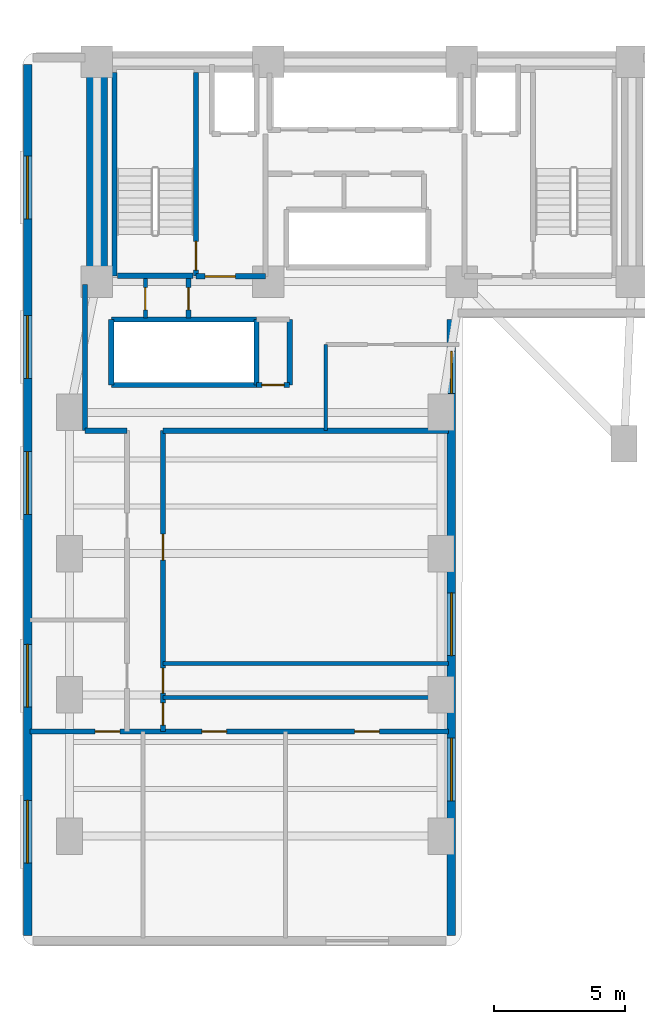
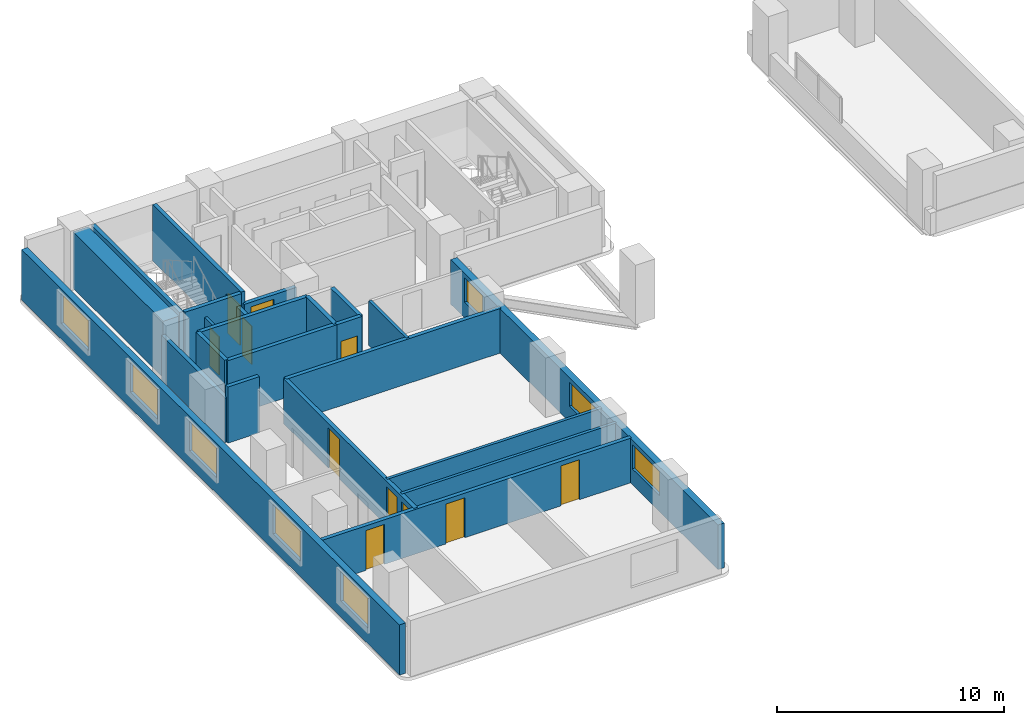
# One storey, part 8 of 14: 23 walls, 11 doors, 8 windows, 19 openings.
"""IFC4 building model written with IfcOpenShell, lengths in metres."""

from ifc_helpers import new_model, si_unit, direction, frame, frame_2d, origin, place, context, subcontext, project, spatial, rectangle, extrude, material, layer, layer_set, type_object, element, fill, save


model = new_model("IFC4")

# Units and contexts
model_context = context("Model", 3, precision=1e-05, world=origin(), true_north=direction((0.0, 1.0)))
body_context = subcontext(model_context, "Body", "Model", "MODEL_VIEW")
ifc_project = project(units=[si_unit("LENGTHUNIT", "METRE"), si_unit("AREAUNIT", "SQUARE_METRE"), si_unit("VOLUMEUNIT", "CUBIC_METRE"), si_unit("PLANEANGLEUNIT", "RADIAN"), si_unit("MASSUNIT", "GRAM", prefix="KILO")], contexts=[model_context])

# Site, building, storey
site_placement = place(None, origin())
site = spatial("IfcSite", under=ifc_project, at=site_placement, CompositionType="ELEMENT")
building_placement = place(site_placement, origin())
building = spatial("IfcBuilding", under=site, at=building_placement, Name="Kuzgunbayir Cultural Tower", CompositionType="ELEMENT")
storey_placement = place(building_placement, frame((0.0, 0.0, 33.39990234375)))
storey = spatial("IfcBuildingStorey", under=building, at=storey_placement, Name="L08", CompositionType="ELEMENT", Elevation=33.39990234375)

# Wall
ifc_material_1 = material(Name="Concrete C60/75", Category="concrete")
ifc_layer_1 = layer(ifc_material_1, 0.800048828125)
ifc_layer_set_1 = layer_set([ifc_layer_1], Name="Concrete C60/75")
wall_type_1 = type_object("IfcWallType", Name="WAL-CORE-800", PredefinedType="SHEAR", material=ifc_layer_set_1)
wall_1_placement = place(storey_placement, frame((6.449951171875, 33.800048828125, 0.0), z_axis=(0.0, 0.0, 1.0), x_axis=(0.0, 1.0, 0.0)))
element("IfcWall", 1, at=wall_1_placement, inside=storey, type_object=wall_type_1, Name="L08 T1 Core West Shear Wall", PredefinedType="SHEAR", context=body_context, shape_type="SweptSolid", body=[
    extrude(rectangle(XDim=7.949951171875, YDim=0.800048828125, at=frame_2d((3.97509765625, 0.0))), origin(), (0.0, 0.0, 1.0), 3.02001953125),
])

# Wall, openings, windows
ifc_material_2 = material(Name="Travertine Buff Ashlar", Category="masonry")
ifc_layer_2 = layer(ifc_material_2, 0.320068359375)
ifc_layer_set_2 = layer_set([ifc_layer_2], Name="Travertine Buff Ashlar")
wall_type_2 = type_object("IfcWallType", Name="WAL-EXT-STONE-320", PredefinedType="STANDARD", material=ifc_layer_set_2)
wall_2_placement = place(storey_placement, frame((3.800048828125, 42.10009765625, 0.0), z_axis=(0.0, 0.0, 1.0), x_axis=(0.0, -1.0, 0.0)))
wall_2 = element("IfcWall", 2, at=wall_2_placement, inside=storey, type_object=wall_type_2, Name="L08 Wing A West Limestone Wall", PredefinedType="STANDARD", context=body_context, shape_type="SweptSolid", body=[
    extrude(rectangle(XDim=33.300048828125, YDim=0.320068359375, at=frame_2d((16.64990234375, 0.0))), origin(), (0.0, 0.0, 1.0), 2.7001953125),
])
opening_1_placement = place(wall_2_placement, frame((22.169921875, 0.0, 0.85009765625)))
opening_1 = element("IfcOpeningElement", 3, at=opening_1_placement, cuts=wall_2, Name="Opening WO-24", PredefinedType="OPENING", context=body_context, shape_type="SweptSolid", body=[
    extrude(rectangle(XDim=2.39990234375, YDim=1.60009765625, at=frame_2d((1.199951171875, 0.800048828125))), frame((0.0, 0.169921875, 0.0), z_axis=(0.0, -1.0, 0.0), x_axis=(1.0, 0.0, 0.0)), (0.0, 0.0, 1.0), 0.340087890625),
])
opening_2_placement = place(wall_2_placement, frame((28.1298828125, 0.0, 0.85009765625)))
opening_2 = element("IfcOpeningElement", 4, at=opening_2_placement, cuts=wall_2, Name="Opening WO-24", PredefinedType="OPENING", context=body_context, shape_type="SweptSolid", body=[
    extrude(rectangle(XDim=2.39990234375, YDim=1.60009765625, at=frame_2d((1.199951171875, 0.800048828125))), frame((0.0, 0.169921875, 0.0), z_axis=(0.0, -1.0, 0.0), x_axis=(1.0, 0.0, 0.0)), (0.0, 0.0, 1.0), 0.340087890625),
])
opening_3_placement = place(wall_2_placement, frame((14.800048828125, 0.0, 0.85009765625)))
opening_3 = element("IfcOpeningElement", 5, at=opening_3_placement, cuts=wall_2, Name="Opening WO-24", PredefinedType="OPENING", context=body_context, shape_type="SweptSolid", body=[
    extrude(rectangle(XDim=2.39990234375, YDim=1.60009765625, at=frame_2d((1.199951171875, 0.800048828125))), frame((0.0, 0.169921875, 0.0), z_axis=(0.0, -1.0, 0.0), x_axis=(1.0, 0.0, 0.0)), (0.0, 0.0, 1.0), 0.340087890625),
])
opening_4_placement = place(wall_2_placement, frame((9.60009765625, 0.0, 0.85009765625)))
opening_4 = element("IfcOpeningElement", 6, at=opening_4_placement, cuts=wall_2, Name="Opening WO-24", PredefinedType="OPENING", context=body_context, shape_type="SweptSolid", body=[
    extrude(rectangle(XDim=2.39990234375, YDim=1.60009765625, at=frame_2d((1.199951171875, 0.800048828125))), frame((0.0, 0.169921875, 0.0), z_axis=(0.0, -1.0, 0.0), x_axis=(1.0, 0.0, 0.0)), (0.0, 0.0, 1.0), 0.340087890625),
])
opening_5_placement = place(wall_2_placement, frame((3.5, 0.0, 0.85009765625)))
opening_5 = element("IfcOpeningElement", 7, at=opening_5_placement, cuts=wall_2, Name="Opening WO-24", PredefinedType="OPENING", context=body_context, shape_type="SweptSolid", body=[
    extrude(rectangle(XDim=2.39990234375, YDim=1.60009765625, at=frame_2d((1.199951171875, 0.800048828125))), frame((0.0, 0.169921875, 0.0), z_axis=(0.0, -1.0, 0.0), x_axis=(1.0, 0.0, 0.0)), (0.0, 0.0, 1.0), 0.340087890625),
])
ifc_material_3 = material(Name="Solar-Control Triple Glazing", Category="glass")
window_type_1 = type_object("IfcWindowType", Name="WIN-OFFICE-24", PartitioningType="SINGLE_PANEL", PredefinedType="WINDOW", material=ifc_material_3)
window_1_placement = place(opening_1_placement, origin())
window_1 = element("IfcWindow", 8, at=window_1_placement, inside=storey, type_object=window_type_1, Name="L08 WAW Facade Window 2", OverallHeight=1.60009765625, OverallWidth=2.39990234375, PartitioningType="SINGLE_PANEL", PredefinedType="WINDOW", context=body_context, shape_type="SweptSolid", body=[
    extrude(rectangle(XDim=2.39990234375, YDim=1.60009765625, at=frame_2d((1.199951171875, 0.800048828125))), frame((0.0, 0.030029296875, 0.0), z_axis=(0.0, -1.0, 0.0), x_axis=(1.0, 0.0, 0.0)), (0.0, 0.0, 1.0), 0.06005859375),
])
fill(opening_1, window_1)
window_2_placement = place(opening_2_placement, origin())
window_2 = element("IfcWindow", 9, at=window_2_placement, inside=storey, type_object=window_type_1, Name="L08 WAW Facade Window 3", OverallHeight=1.60009765625, OverallWidth=2.39990234375, PartitioningType="SINGLE_PANEL", PredefinedType="WINDOW", context=body_context, shape_type="SweptSolid", body=[
    extrude(rectangle(XDim=2.39990234375, YDim=1.60009765625, at=frame_2d((1.199951171875, 0.800048828125))), frame((0.0, 0.030029296875, 0.0), z_axis=(0.0, -1.0, 0.0), x_axis=(1.0, 0.0, 0.0)), (0.0, 0.0, 1.0), 0.06005859375),
])
fill(opening_2, window_2)
window_3_placement = place(opening_3_placement, origin())
window_3 = element("IfcWindow", 10, at=window_3_placement, inside=storey, type_object=window_type_1, Name="L08 WAW Facade Window 4", OverallHeight=1.60009765625, OverallWidth=2.39990234375, PartitioningType="SINGLE_PANEL", PredefinedType="WINDOW", context=body_context, shape_type="SweptSolid", body=[
    extrude(rectangle(XDim=2.39990234375, YDim=1.60009765625, at=frame_2d((1.199951171875, 0.800048828125))), frame((0.0, 0.030029296875, 0.0), z_axis=(0.0, -1.0, 0.0), x_axis=(1.0, 0.0, 0.0)), (0.0, 0.0, 1.0), 0.06005859375),
])
fill(opening_3, window_3)
window_4_placement = place(opening_4_placement, origin())
window_4 = element("IfcWindow", 11, at=window_4_placement, inside=storey, type_object=window_type_1, Name="L08 WAW Facade Window 5", OverallHeight=1.60009765625, OverallWidth=2.39990234375, PartitioningType="SINGLE_PANEL", PredefinedType="WINDOW", context=body_context, shape_type="SweptSolid", body=[
    extrude(rectangle(XDim=2.39990234375, YDim=1.60009765625, at=frame_2d((1.199951171875, 0.800048828125))), frame((0.0, 0.030029296875, 0.0), z_axis=(0.0, -1.0, 0.0), x_axis=(1.0, 0.0, 0.0)), (0.0, 0.0, 1.0), 0.06005859375),
])
fill(opening_4, window_4)
window_5_placement = place(opening_5_placement, origin())
window_5 = element("IfcWindow", 12, at=window_5_placement, inside=storey, type_object=window_type_1, Name="L08 WAW Facade Window 6", OverallHeight=1.60009765625, OverallWidth=2.39990234375, PartitioningType="SINGLE_PANEL", PredefinedType="WINDOW", context=body_context, shape_type="SweptSolid", body=[
    extrude(rectangle(XDim=2.39990234375, YDim=1.60009765625, at=frame_2d((1.199951171875, 0.800048828125))), frame((0.0, 0.030029296875, 0.0), z_axis=(0.0, -1.0, 0.0), x_axis=(1.0, 0.0, 0.0)), (0.0, 0.0, 1.0), 0.06005859375),
])
fill(opening_5, window_5)

wall_3_placement = place(storey_placement, frame((20.0, 8.800048828125, 0.0), z_axis=(0.0, 0.0, 1.0), x_axis=(0.0, 1.0, 0.0)))
wall_3 = element("IfcWall", 13, at=wall_3_placement, inside=storey, type_object=wall_type_2, Name="L08 Wing A East Limestone Wall", PredefinedType="STANDARD", context=body_context, shape_type="SweptSolid", body=[
    extrude(rectangle(XDim=23.550048828125, YDim=0.320068359375, at=frame_2d((11.77490234375, 0.0))), origin(), (0.0, 0.0, 1.0), 2.400146484375),
])
opening_6_placement = place(wall_3_placement, frame((20.72998046875, 0.0, 0.85009765625)))
opening_6 = element("IfcOpeningElement", 14, at=opening_6_placement, cuts=wall_3, Name="Opening WC-16", PredefinedType="OPENING", context=body_context, shape_type="SweptSolid", body=[
    extrude(rectangle(XDim=1.60009765625, YDim=1.300048828125, at=frame_2d((0.800048828125, 0.64990234375))), frame((0.0, 0.169921875, 0.0), z_axis=(0.0, -1.0, 0.0), x_axis=(1.0, 0.0, 0.0)), (0.0, 0.0, 1.0), 0.340087890625),
])
opening_7_placement = place(wall_3_placement, frame((5.14990234375, 0.0, 0.85009765625)))
opening_7 = element("IfcOpeningElement", 15, at=opening_7_placement, cuts=wall_3, Name="Opening WO-24", PredefinedType="OPENING", context=body_context, shape_type="SweptSolid", body=[
    extrude(rectangle(XDim=2.39990234375, YDim=1.300048828125, at=frame_2d((1.199951171875, 0.64990234375))), frame((0.0, 0.169921875, 0.0), z_axis=(0.0, -1.0, 0.0), x_axis=(1.0, 0.0, 0.0)), (0.0, 0.0, 1.0), 0.340087890625),
])
opening_8_placement = place(wall_3_placement, frame((10.699951171875, 0.0, 0.85009765625)))
opening_8 = element("IfcOpeningElement", 16, at=opening_8_placement, cuts=wall_3, Name="Opening WO-24", PredefinedType="OPENING", context=body_context, shape_type="SweptSolid", body=[
    extrude(rectangle(XDim=2.39990234375, YDim=1.300048828125, at=frame_2d((1.199951171875, 0.64990234375))), frame((0.0, 0.169921875, 0.0), z_axis=(0.0, -1.0, 0.0), x_axis=(1.0, 0.0, 0.0)), (0.0, 0.0, 1.0), 0.340087890625),
])
window_type_2 = type_object("IfcWindowType", Name="WIN-COMP-16", PartitioningType="SINGLE_PANEL", PredefinedType="WINDOW", material=ifc_material_3)
window_6_placement = place(opening_6_placement, origin())
window_6 = element("IfcWindow", 17, at=window_6_placement, inside=storey, type_object=window_type_2, Name="L08 WAE Facade Window 1", OverallHeight=1.300048828125, OverallWidth=1.60009765625, PartitioningType="SINGLE_PANEL", PredefinedType="WINDOW", context=body_context, shape_type="SweptSolid", body=[
    extrude(rectangle(XDim=1.60009765625, YDim=1.300048828125, at=frame_2d((0.800048828125, 0.64990234375))), frame((0.0, 0.030029296875, 0.0), z_axis=(0.0, -1.0, 0.0), x_axis=(1.0, 0.0, 0.0)), (0.0, 0.0, 1.0), 0.06005859375),
])
fill(opening_6, window_6)
window_7_placement = place(opening_7_placement, origin())
window_7 = element("IfcWindow", 18, at=window_7_placement, inside=storey, type_object=window_type_1, Name="L08 WAE Facade Window 7", OverallHeight=1.300048828125, OverallWidth=2.39990234375, PartitioningType="SINGLE_PANEL", PredefinedType="WINDOW", context=body_context, shape_type="SweptSolid", body=[
    extrude(rectangle(XDim=2.39990234375, YDim=1.300048828125, at=frame_2d((1.199951171875, 0.64990234375))), frame((0.0, 0.030029296875, 0.0), z_axis=(0.0, -1.0, 0.0), x_axis=(1.0, 0.0, 0.0)), (0.0, 0.0, 1.0), 0.06005859375),
])
fill(opening_7, window_7)
window_8_placement = place(opening_8_placement, origin())
window_8 = element("IfcWindow", 19, at=window_8_placement, inside=storey, type_object=window_type_1, Name="L08 WAE Facade Window 8", OverallHeight=1.300048828125, OverallWidth=2.39990234375, PartitioningType="SINGLE_PANEL", PredefinedType="WINDOW", context=body_context, shape_type="SweptSolid", body=[
    extrude(rectangle(XDim=2.39990234375, YDim=1.300048828125, at=frame_2d((1.199951171875, 0.64990234375))), frame((0.0, 0.030029296875, 0.0), z_axis=(0.0, -1.0, 0.0), x_axis=(1.0, 0.0, 0.0)), (0.0, 0.0, 1.0), 0.06005859375),
])
fill(opening_8, window_8)

# Wall, opening, door
ifc_material_4 = material(Name="Acoustic Double-Stud Drywall", Category="gypsum")
ifc_layer_3 = layer(ifc_material_4, 0.14990234375)
ifc_layer_set_3 = layer_set([ifc_layer_3], Name="Acoustic Double-Stud Drywall")
wall_type_3 = type_object("IfcWallType", Name="WAL-PART-ACOUSTIC-150", PredefinedType="PARTITIONING", material=ifc_layer_set_3)
wall_4_placement = place(storey_placement, frame((8.300048828125, 32.39990234375, 0.0), z_axis=(0.0, 0.0, 1.0), x_axis=(0.0, 1.0, 0.0)))
wall_4 = element("IfcWall", 20, at=wall_4_placement, inside=storey, type_object=wall_type_3, Name="L08 West Core Closet Divider", PredefinedType="PARTITIONING", context=body_context, shape_type="SweptSolid", body=[
    extrude(rectangle(XDim=1.52001953125, YDim=0.14990234375, at=frame_2d((0.760009765625, 0.0))), origin(), (0.0, 0.0, 1.0), 2.400146484375),
])
opening_9_placement = place(wall_4_placement, frame((0.320068359375, 0.0, 0.0)))
opening_9 = element("IfcOpeningElement", 21, at=opening_9_placement, cuts=wall_4, Name="Opening DR-RSR-60", PredefinedType="OPENING", context=body_context, shape_type="SweptSolid", body=[
    extrude(rectangle(XDim=0.85009765625, YDim=2.050048828125, at=frame_2d((0.425048828125, 1.02490234375))), frame((0.0, 0.0849609375, 0.0), z_axis=(0.0, -1.0, 0.0), x_axis=(1.0, 0.0, 0.0)), (0.0, 0.0, 1.0), 0.169921875),
])
ifc_material_5 = material(Name="Steel Access Leaf", Category="steel")
door_type_1 = type_object("IfcDoorType", Name="DR-RISER-60", OperationType="NOTDEFINED", PredefinedType="DOOR", material=ifc_material_5)
door_1_placement = place(opening_9_placement, origin())
door_1 = element("IfcDoor", 22, at=door_1_placement, inside=storey, type_object=door_type_1, Name="L08 Sub-Meter Closet Door", OperationType="SINGLE_SWING_RIGHT", OverallHeight=2.050048828125, OverallWidth=0.85009765625, PredefinedType="DOOR", context=body_context, shape_type="SweptSolid", body=[
    extrude(rectangle(XDim=0.85009765625, YDim=2.050048828125, at=frame_2d((0.425048828125, 1.02490234375))), frame((0.0, 0.02490234375, 0.0), z_axis=(0.0, -1.0, 0.0), x_axis=(1.0, 0.0, 0.0)), (0.0, 0.0, 1.0), 0.050048828125),
])
fill(opening_9, door_1)

# Wall
wall_5_placement = place(storey_placement, frame((15.199951171875, 28.10009765625, 0.0), z_axis=(0.0, 0.0, 1.0), x_axis=(0.0, 1.0, 0.0)))
element("IfcWall", 23, at=wall_5_placement, inside=storey, type_object=wall_type_3, Name="L08 Central Sky Salon West Wall", PredefinedType="PARTITIONING", context=body_context, shape_type="SweptSolid", body=[
    extrude(rectangle(XDim=3.2998046875, YDim=0.14990234375, at=frame_2d((1.64990234375, 0.0))), origin(), (0.0, 0.0, 1.0), 2.400146484375),
])

# Wall, opening, door
ifc_material_6 = material(Name="Aerated Concrete Blockwork", Category="masonry")
ifc_layer_4 = layer(ifc_material_6, 0.199951171875)
ifc_layer_set_4 = layer_set([ifc_layer_4], Name="Aerated Concrete Blockwork")
wall_type_4 = type_object("IfcWallType", Name="WAL-PART-FIRE-200", PredefinedType="PARTITIONING", material=ifc_layer_set_4)
wall_6_placement = place(storey_placement, frame((10.239990234375, 34.0, 0.0), z_axis=(0.0, 0.0, 1.0), x_axis=(1.0, 0.0, 0.0)))
wall_6 = element("IfcWall", 24, at=wall_6_placement, inside=storey, type_object=wall_type_4, Name="L08 FFL-1 Lobby South Fire Wall", PredefinedType="PARTITIONING", context=body_context, shape_type="SweptSolid", body=[
    extrude(rectangle(XDim=2.659912109375, YDim=0.199951171875, at=frame_2d((1.330078125, 0.0))), origin(), (0.0, 0.0, 1.0), 2.400146484375),
])
opening_10_placement = place(wall_6_placement, frame((0.35009765625, 0.0, 0.0)))
opening_10 = element("IfcOpeningElement", 25, at=opening_10_placement, cuts=wall_6, Name="Opening DR-FFL-90", PredefinedType="OPENING", context=body_context, shape_type="SweptSolid", body=[
    extrude(rectangle(XDim=1.14990234375, YDim=2.14990234375, at=frame_2d((0.574951171875, 1.074951171875))), frame((0.0, 0.10986328125, 0.0), z_axis=(0.0, -1.0, 0.0), x_axis=(1.0, 0.0, 0.0)), (0.0, 0.0, 1.0), 0.219970703125),
])
ifc_material_7 = material(Name="Steel S355J2", Category="steel")
door_type_2 = type_object("IfcDoorType", Name="DR-FFL-90", OperationType="NOTDEFINED", PredefinedType="DOOR", material=ifc_material_7)
door_2_placement = place(opening_10_placement, origin())
door_2 = element("IfcDoor", 26, at=door_2_placement, inside=storey, type_object=door_type_2, Name="L08 Firefighting Lobby 1 Door", OperationType="SINGLE_SWING_LEFT", OverallHeight=2.14990234375, OverallWidth=1.14990234375, PredefinedType="DOOR", context=body_context, shape_type="SweptSolid", body=[
    extrude(rectangle(XDim=1.14990234375, YDim=2.14990234375, at=frame_2d((0.574951171875, 1.074951171875))), frame((0.0, 0.02490234375, 0.0), z_axis=(0.0, -1.0, 0.0), x_axis=(1.0, 0.0, 0.0)), (0.0, 0.0, 1.0), 0.050048828125),
])
fill(opening_10, door_2)

wall_7_placement = place(storey_placement, frame((9.949951171875, 32.39990234375, 0.0), z_axis=(0.0, 0.0, 1.0), x_axis=(0.0, 1.0, 0.0)))
wall_7 = element("IfcWall", 27, at=wall_7_placement, inside=storey, type_object=wall_type_4, Name="L08 West Core Service Closet Wall", PredefinedType="PARTITIONING", context=body_context, shape_type="SweptSolid", body=[
    extrude(rectangle(XDim=1.52001953125, YDim=0.199951171875, at=frame_2d((0.760009765625, 0.0))), origin(), (0.0, 0.0, 1.0), 2.400146484375),
])
opening_11_placement = place(wall_7_placement, frame((0.320068359375, 0.0, 0.0)))
opening_11 = element("IfcOpeningElement", 28, at=opening_11_placement, cuts=wall_7, Name="Opening DR-RSR-60", PredefinedType="OPENING", context=body_context, shape_type="SweptSolid", body=[
    extrude(rectangle(XDim=0.85009765625, YDim=2.050048828125, at=frame_2d((0.425048828125, 1.02490234375))), frame((0.0, 0.10986328125, 0.0), z_axis=(0.0, -1.0, 0.0), x_axis=(1.0, 0.0, 0.0)), (0.0, 0.0, 1.0), 0.219970703125),
])
door_3_placement = place(opening_11_placement, origin())
door_3 = element("IfcDoor", 29, at=door_3_placement, inside=storey, type_object=door_type_1, Name="L08 Cleaner Store Door", OperationType="SINGLE_SWING_LEFT", OverallHeight=2.050048828125, OverallWidth=0.85009765625, PredefinedType="DOOR", context=body_context, shape_type="SweptSolid", body=[
    extrude(rectangle(XDim=0.85009765625, YDim=2.050048828125, at=frame_2d((0.425048828125, 1.02490234375))), frame((0.0, 0.02490234375, 0.0), z_axis=(0.0, -1.0, 0.0), x_axis=(1.0, 0.0, 0.0)), (0.0, 0.0, 1.0), 0.050048828125),
])
fill(opening_11, door_3)

wall_8_placement = place(storey_placement, frame((12.550048828125, 29.85009765625, 0.0), z_axis=(0.0, 0.0, 1.0), x_axis=(1.0, 0.0, 0.0)))
wall_8 = element("IfcWall", 30, at=wall_8_placement, inside=storey, type_object=wall_type_4, Name="L08 Center Core Switchgear South Wall", PredefinedType="PARTITIONING", context=body_context, shape_type="SweptSolid", body=[
    extrude(rectangle(XDim=1.27001953125, YDim=0.199951171875, at=frame_2d((0.635009765625, 0.0))), origin(), (0.0, 0.0, 1.0), 3.02001953125),
])
opening_12_placement = place(wall_8_placement, frame((0.2099609375, 0.0, 0.0)))
opening_12 = element("IfcOpeningElement", 31, at=opening_12_placement, cuts=wall_8, Name="Opening DR-RSR-60", PredefinedType="OPENING", context=body_context, shape_type="SweptSolid", body=[
    extrude(rectangle(XDim=0.85009765625, YDim=2.050048828125, at=frame_2d((0.425048828125, 1.02490234375))), frame((0.0, 0.10986328125, 0.0), z_axis=(0.0, -1.0, 0.0), x_axis=(1.0, 0.0, 0.0)), (0.0, 0.0, 1.0), 0.219970703125),
])
door_4_placement = place(opening_12_placement, origin())
door_4 = element("IfcDoor", 32, at=door_4_placement, inside=storey, type_object=door_type_1, Name="L08 Telecom Closet Door", OperationType="SINGLE_SWING_LEFT", OverallHeight=2.050048828125, OverallWidth=0.85009765625, PredefinedType="DOOR", context=body_context, shape_type="SweptSolid", body=[
    extrude(rectangle(XDim=0.85009765625, YDim=2.050048828125, at=frame_2d((0.425048828125, 1.02490234375))), frame((0.0, 0.02490234375, 0.0), z_axis=(0.0, -1.0, 0.0), x_axis=(1.0, 0.0, 0.0)), (0.0, 0.0, 1.0), 0.050048828125),
])
fill(opening_12, door_4)

# Wall
wall_9_placement = place(storey_placement, frame((13.820068359375, 29.85009765625, 0.0), z_axis=(0.0, 0.0, 1.0), x_axis=(0.0, 1.0, 0.0)))
element("IfcWall", 33, at=wall_9_placement, inside=storey, type_object=wall_type_4, Name="L08 Center Core Switchgear East Wall", PredefinedType="PARTITIONING", context=body_context, shape_type="SweptSolid", body=[
    extrude(rectangle(XDim=2.5, YDim=0.199951171875, at=frame_2d((1.25, 0.0))), origin(), (0.0, 0.0, 1.0), 3.02001953125),
])

# Wall, openings, doors
wall_10_placement = place(storey_placement, frame((8.97998046875, 16.60009765625, 0.0), z_axis=(0.0, 0.0, 1.0), x_axis=(0.0, 1.0, 0.0)))
wall_10 = element("IfcWall", 34, at=wall_10_placement, inside=storey, type_object=wall_type_4, Name="L08 Wing A East Corridor Wall", PredefinedType="PARTITIONING", context=body_context, shape_type="SweptSolid", body=[
    extrude(rectangle(XDim=11.5, YDim=0.199951171875, at=frame_2d((5.75, 0.0))), origin(), (0.0, 0.0, 1.0), 2.400146484375),
])
opening_13_placement = place(wall_10_placement, frame((0.239990234375, 0.0, 0.0)))
opening_13 = element("IfcOpeningElement", 35, at=opening_13_placement, cuts=wall_10, Name="Opening DW-85", PredefinedType="OPENING", context=body_context, shape_type="SweptSolid", body=[
    extrude(rectangle(XDim=0.85009765625, YDim=2.10009765625, at=frame_2d((0.425048828125, 1.050048828125))), frame((0.0, 0.10986328125, 0.0), z_axis=(0.0, -1.0, 0.0), x_axis=(1.0, 0.0, 0.0)), (0.0, 0.0, 1.0), 0.219970703125),
])
opening_14_placement = place(wall_10_placement, frame((1.469970703125, 0.0, 0.0)))
opening_14 = element("IfcOpeningElement", 36, at=opening_14_placement, cuts=wall_10, Name="Opening DW-95", PredefinedType="OPENING", context=body_context, shape_type="SweptSolid", body=[
    extrude(rectangle(XDim=0.949951171875, YDim=2.10009765625, at=frame_2d((0.47509765625, 1.050048828125))), frame((0.0, 0.10986328125, 0.0), z_axis=(0.0, -1.0, 0.0), x_axis=(1.0, 0.0, 0.0)), (0.0, 0.0, 1.0), 0.219970703125),
])
opening_15_placement = place(wall_10_placement, frame((6.550048828125, 0.0, 0.0)))
opening_15 = element("IfcOpeningElement", 37, at=opening_15_placement, cuts=wall_10, Name="Opening DI-100", PredefinedType="OPENING", context=body_context, shape_type="SweptSolid", body=[
    extrude(rectangle(XDim=1.0, YDim=2.14990234375, at=frame_2d((0.5, 1.074951171875))), frame((0.0, 0.10986328125, 0.0), z_axis=(0.0, -1.0, 0.0), x_axis=(1.0, 0.0, 0.0)), (0.0, 0.0, 1.0), 0.219970703125),
])
ifc_material_8 = material(Name="Veneered Oak Single Leaf", Category="wood")
door_type_3 = type_object("IfcDoorType", Name="DR-INT-100", OperationType="NOTDEFINED", PredefinedType="DOOR", material=ifc_material_8)
door_5_placement = place(opening_15_placement, origin())
door_5 = element("IfcDoor", 38, at=door_5_placement, inside=storey, type_object=door_type_3, Name="L08 East Art Publication Salon 1 Door", OperationType="SINGLE_SWING_RIGHT", OverallHeight=2.14990234375, OverallWidth=1.0, PredefinedType="DOOR", context=body_context, shape_type="SweptSolid", body=[
    extrude(rectangle(XDim=1.0, YDim=2.14990234375, at=frame_2d((0.5, 1.074951171875))), frame((0.0, 0.02490234375, 0.0), z_axis=(0.0, -1.0, 0.0), x_axis=(1.0, 0.0, 0.0)), (0.0, 0.0, 1.0), 0.050048828125),
])
fill(opening_15, door_5)
ifc_material_9 = material(Name="Laminate Moisture-Resistant Leaf", Category="wood")
door_type_4 = type_object("IfcDoorType", Name="DR-WET-85", OperationType="NOTDEFINED", PredefinedType="DOOR", material=ifc_material_9)
door_6_placement = place(opening_13_placement, origin())
door_6 = element("IfcDoor", 39, at=door_6_placement, inside=storey, type_object=door_type_4, Name="L08 Restroom Door", OperationType="SINGLE_SWING_RIGHT", OverallHeight=2.10009765625, OverallWidth=0.85009765625, PredefinedType="DOOR", context=body_context, shape_type="SweptSolid", body=[
    extrude(rectangle(XDim=0.85009765625, YDim=2.10009765625, at=frame_2d((0.425048828125, 1.050048828125))), frame((0.0, 0.02490234375, 0.0), z_axis=(0.0, -1.0, 0.0), x_axis=(1.0, 0.0, 0.0)), (0.0, 0.0, 1.0), 0.050048828125),
])
fill(opening_13, door_6)
door_type_5 = type_object("IfcDoorType", Name="DR-WET-95", OperationType="NOTDEFINED", PredefinedType="DOOR", material=ifc_material_9)
door_7_placement = place(opening_14_placement, origin())
door_7 = element("IfcDoor", 40, at=door_7_placement, inside=storey, type_object=door_type_5, Name="L08 Accessible WC Door", OperationType="SINGLE_SWING_LEFT", OverallHeight=2.10009765625, OverallWidth=0.949951171875, PredefinedType="DOOR", context=body_context, shape_type="SweptSolid", body=[
    extrude(rectangle(XDim=0.949951171875, YDim=2.10009765625, at=frame_2d((0.47509765625, 1.050048828125))), frame((0.0, 0.02490234375, 0.0), z_axis=(0.0, -1.0, 0.0), x_axis=(1.0, 0.0, 0.0)), (0.0, 0.0, 1.0), 0.050048828125),
])
fill(opening_14, door_7)

wall_11_placement = place(storey_placement, frame((3.89990234375, 16.60009765625, 0.0), z_axis=(0.0, 0.0, 1.0), x_axis=(1.0, 0.0, 0.0)))
wall_11 = element("IfcWall", 41, at=wall_11_placement, inside=storey, type_object=wall_type_4, Name="L08 South Cross Partition", PredefinedType="PARTITIONING", context=body_context, shape_type="SweptSolid", body=[
    extrude(rectangle(XDim=16.0, YDim=0.199951171875, at=frame_2d((8.0, 0.0))), origin(), (0.0, 0.0, 1.0), 2.400146484375),
])
opening_16_placement = place(wall_11_placement, frame((2.47998046875, 0.0, 0.0)))
opening_16 = element("IfcOpeningElement", 42, at=opening_16_placement, cuts=wall_11, Name="Opening DI-90", PredefinedType="OPENING", context=body_context, shape_type="SweptSolid", body=[
    extrude(rectangle(XDim=0.949951171875, YDim=2.14990234375, at=frame_2d((0.47509765625, 1.074951171875))), frame((0.0, 0.10986328125, 0.0), z_axis=(0.0, -1.0, 0.0), x_axis=(1.0, 0.0, 0.0)), (0.0, 0.0, 1.0), 0.219970703125),
])
opening_17_placement = place(wall_11_placement, frame((6.56005859375, 0.0, 0.0)))
opening_17 = element("IfcOpeningElement", 43, at=opening_17_placement, cuts=wall_11, Name="Opening DI-90", PredefinedType="OPENING", context=body_context, shape_type="SweptSolid", body=[
    extrude(rectangle(XDim=0.949951171875, YDim=2.14990234375, at=frame_2d((0.47509765625, 1.074951171875))), frame((0.0, 0.10986328125, 0.0), z_axis=(0.0, -1.0, 0.0), x_axis=(1.0, 0.0, 0.0)), (0.0, 0.0, 1.0), 0.219970703125),
])
opening_18_placement = place(wall_11_placement, frame((12.39990234375, 0.0, 0.0)))
opening_18 = element("IfcOpeningElement", 44, at=opening_18_placement, cuts=wall_11, Name="Opening DI-90", PredefinedType="OPENING", context=body_context, shape_type="SweptSolid", body=[
    extrude(rectangle(XDim=0.949951171875, YDim=2.14990234375, at=frame_2d((0.47509765625, 1.074951171875))), frame((0.0, 0.10986328125, 0.0), z_axis=(0.0, -1.0, 0.0), x_axis=(1.0, 0.0, 0.0)), (0.0, 0.0, 1.0), 0.219970703125),
])
door_type_6 = type_object("IfcDoorType", Name="DR-INT-90", OperationType="NOTDEFINED", PredefinedType="DOOR", material=ifc_material_8)
door_8_placement = place(opening_16_placement, origin())
door_8 = element("IfcDoor", 45, at=door_8_placement, inside=storey, type_object=door_type_6, Name="L08 South Suite S1 Door", OperationType="SINGLE_SWING_LEFT", OverallHeight=2.14990234375, OverallWidth=0.949951171875, PredefinedType="DOOR", context=body_context, shape_type="SweptSolid", body=[
    extrude(rectangle(XDim=0.949951171875, YDim=2.14990234375, at=frame_2d((0.47509765625, 1.074951171875))), frame((0.0, 0.02490234375, 0.0), z_axis=(0.0, -1.0, 0.0), x_axis=(1.0, 0.0, 0.0)), (0.0, 0.0, 1.0), 0.050048828125),
])
fill(opening_16, door_8)
door_9_placement = place(opening_17_placement, origin())
door_9 = element("IfcDoor", 46, at=door_9_placement, inside=storey, type_object=door_type_6, Name="L08 South Suite S2 Door", OperationType="SINGLE_SWING_RIGHT", OverallHeight=2.14990234375, OverallWidth=0.949951171875, PredefinedType="DOOR", context=body_context, shape_type="SweptSolid", body=[
    extrude(rectangle(XDim=0.949951171875, YDim=2.14990234375, at=frame_2d((0.47509765625, 1.074951171875))), frame((0.0, 0.02490234375, 0.0), z_axis=(0.0, -1.0, 0.0), x_axis=(1.0, 0.0, 0.0)), (0.0, 0.0, 1.0), 0.050048828125),
])
fill(opening_17, door_9)
door_10_placement = place(opening_18_placement, origin())
door_10 = element("IfcDoor", 47, at=door_10_placement, inside=storey, type_object=door_type_6, Name="L08 South Suite S3 Door", OperationType="SINGLE_SWING_LEFT", OverallHeight=2.14990234375, OverallWidth=0.949951171875, PredefinedType="DOOR", context=body_context, shape_type="SweptSolid", body=[
    extrude(rectangle(XDim=0.949951171875, YDim=2.14990234375, at=frame_2d((0.47509765625, 1.074951171875))), frame((0.0, 0.02490234375, 0.0), z_axis=(0.0, -1.0, 0.0), x_axis=(1.0, 0.0, 0.0)), (0.0, 0.0, 1.0), 0.050048828125),
])
fill(opening_18, door_10)

# Walls
wall_12_placement = place(storey_placement, frame((6.0, 28.10009765625, 0.0), z_axis=(0.0, 0.0, 1.0), x_axis=(1.0, 0.0, 0.0)))
element("IfcWall", 48, at=wall_12_placement, inside=storey, type_object=wall_type_4, Name="L08 North West Partition", PredefinedType="PARTITIONING", context=body_context, shape_type="SweptSolid", body=[
    extrude(rectangle(XDim=1.60009765625, YDim=0.199951171875, at=frame_2d((0.800048828125, 0.0))), origin(), (0.0, 0.0, 1.0), 3.02001953125),
])
wall_13_placement = place(storey_placement, frame((6.0, 28.10009765625, 0.0), z_axis=(0.0, 0.0, 1.0), x_axis=(0.0, 1.0, 0.0)))
element("IfcWall", 49, at=wall_13_placement, inside=storey, type_object=wall_type_4, Name="L08 North West Gallery Wing Wall", PredefinedType="PARTITIONING", context=body_context, shape_type="SweptSolid", body=[
    extrude(rectangle(XDim=5.579833984375, YDim=0.199951171875, at=frame_2d((2.7900390625, 0.0))), origin(), (0.0, 0.0, 1.0), 2.400146484375),
])
wall_14_placement = place(storey_placement, frame((8.97998046875, 28.10009765625, 0.0), z_axis=(0.0, 0.0, 1.0), x_axis=(1.0, 0.0, 0.0)))
element("IfcWall", 50, at=wall_14_placement, inside=storey, type_object=wall_type_4, Name="L08 North East Partition", PredefinedType="PARTITIONING", context=body_context, shape_type="SweptSolid", body=[
    extrude(rectangle(XDim=10.919921875, YDim=0.199951171875, at=frame_2d((5.4599609375, 0.0))), origin(), (0.0, 0.0, 1.0), 2.400146484375),
])
ifc_material_10 = material(Name="Moisture-Resistant Tile Partition", Category="gypsum")
ifc_layer_5 = layer(ifc_material_10, 0.14990234375)
ifc_layer_set_5 = layer_set([ifc_layer_5], Name="Moisture-Resistant Tile Partition")
wall_type_5 = type_object("IfcWallType", Name="WAL-PART-WET-150", PredefinedType="PARTITIONING", material=ifc_layer_set_5)
for number, where, z_axis, x_axis, name in (
    (51, (8.97998046875, 17.89990234375, 0.0), (0.0, 0.0, 1.0), (1.0, 0.0, 0.0), "L08 WC North Wall"),
    (52, (8.97998046875, 19.199951171875, 0.0), (0.0, 0.0, 1.0), (1.0, 0.0, 0.0), "L08 Accessible WC North Wall"),
):
    element("IfcWall", number, at=place(storey_placement, frame(where, z_axis=z_axis, x_axis=x_axis)), inside=storey, type_object=wall_type_5, Name=name, PredefinedType="PARTITIONING", context=body_context, shape_type="SweptSolid", body=[
        extrude(rectangle(XDim=10.919921875, YDim=0.14990234375, at=frame_2d((5.4599609375, 0.0))), origin(), (0.0, 0.0, 1.0), 2.400146484375),
    ])
ifc_material_11 = material(Name="Concrete C40/50", Category="concrete")
ifc_layer_6 = layer(ifc_material_11, 0.199951171875)
ifc_layer_set_6 = layer_set([ifc_layer_6], Name="Concrete C40/50")
wall_type_6 = type_object("IfcWallType", Name="WAL-SHAFT-200", PredefinedType="MOVABLE", material=ifc_layer_set_6)
for number, where, z_axis, x_axis, name in (
    (53, (7.0, 29.85009765625, 0.0), (0.0, 0.0, 1.0), (1.0, 0.0, 0.0), "L08 High-Rise Lift Shaft South Wall"),
    (54, (7.0, 32.35009765625, 0.0), (0.0, 0.0, 1.0), (1.0, 0.0, 0.0), "L08 High-Rise Lift Shaft North Wall"),
):
    element("IfcWall", number, at=place(storey_placement, frame(where, z_axis=z_axis, x_axis=x_axis)), inside=storey, type_object=wall_type_6, Name=name, PredefinedType="MOVABLE", context=body_context, shape_type="SweptSolid", body=[
        extrude(rectangle(XDim=5.550048828125, YDim=0.199951171875, at=frame_2d((2.77490234375, 0.0))), origin(), (0.0, 0.0, 1.0), 3.02001953125),
    ])
for number, where, z_axis, x_axis, name in (
    (55, (7.0, 29.85009765625, 0.0), (0.0, 0.0, 1.0), (0.0, 1.0, 0.0), "L08 High-Rise Lift Shaft West Wall"),
    (56, (12.550048828125, 29.85009765625, 0.0), (0.0, 0.0, 1.0), (0.0, 1.0, 0.0), "L08 High-Rise Lift Shaft East Wall"),
):
    element("IfcWall", number, at=place(storey_placement, frame(where, z_axis=z_axis, x_axis=x_axis)), inside=storey, type_object=wall_type_6, Name=name, PredefinedType="MOVABLE", context=body_context, shape_type="SweptSolid", body=[
        extrude(rectangle(XDim=2.5, YDim=0.199951171875, at=frame_2d((1.25, 0.0))), origin(), (0.0, 0.0, 1.0), 3.02001953125),
    ])
ifc_layer_7 = layer(ifc_material_11, 0.199951171875)
ifc_layer_set_7 = layer_set([ifc_layer_7], Name="Concrete C40/50")
wall_type_7 = type_object("IfcWallType", Name="WAL-STAIR-RC-200", PredefinedType="SHEAR", material=ifc_layer_set_7)
wall_15_placement = place(storey_placement, frame((7.1201171875, 34.02001953125, 0.0), z_axis=(0.0, 0.0, 1.0), x_axis=(0.0, 1.0, 0.0)))
element("IfcWall", 57, at=wall_15_placement, inside=storey, type_object=wall_type_7, Name="L08 Stair ST-1 West Structural Wall", PredefinedType="SHEAR", context=body_context, shape_type="SweptSolid", body=[
    extrude(rectangle(XDim=7.780029296875, YDim=0.199951171875, at=frame_2d((3.89013671875, 0.0))), origin(), (0.0, 0.0, 1.0), 3.02001953125),
])

# Wall, opening, door
wall_16_placement = place(storey_placement, frame((10.239990234375, 34.02001953125, 0.0), z_axis=(0.0, 0.0, 1.0), x_axis=(0.0, 1.0, 0.0)))
wall_16 = element("IfcWall", 58, at=wall_16_placement, inside=storey, type_object=wall_type_7, Name="L08 Stair ST-1 East Structural Wall", PredefinedType="SHEAR", context=body_context, shape_type="SweptSolid", body=[
    extrude(rectangle(XDim=7.780029296875, YDim=0.199951171875, at=frame_2d((3.89013671875, 0.0))), origin(), (0.0, 0.0, 1.0), 3.02001953125),
])
opening_19_placement = place(wall_16_placement, frame((0.219970703125, 0.0, 0.0)))
opening_19 = element("IfcOpeningElement", 59, at=opening_19_placement, cuts=wall_16, Name="Opening DR-STAIR-90", PredefinedType="OPENING", context=body_context, shape_type="SweptSolid", body=[
    extrude(rectangle(XDim=1.10009765625, YDim=2.14990234375, at=frame_2d((0.550048828125, 1.074951171875))), frame((0.0, 0.10986328125, 0.0), z_axis=(0.0, -1.0, 0.0), x_axis=(1.0, 0.0, 0.0)), (0.0, 0.0, 1.0), 0.219970703125),
])
door_type_7 = type_object("IfcDoorType", Name="DR-STAIR-90", OperationType="NOTDEFINED", PredefinedType="DOOR", material=ifc_material_7)
door_11_placement = place(opening_19_placement, origin())
door_11 = element("IfcDoor", 60, at=door_11_placement, inside=storey, type_object=door_type_7, Name="L08 Stair ST-1 Fire Door", OperationType="SINGLE_SWING_RIGHT", OverallHeight=2.14990234375, OverallWidth=1.10009765625, PredefinedType="DOOR", context=body_context, shape_type="SweptSolid", body=[
    extrude(rectangle(XDim=1.10009765625, YDim=2.14990234375, at=frame_2d((0.550048828125, 1.074951171875))), frame((0.0, 0.02490234375, 0.0), z_axis=(0.0, -1.0, 0.0), x_axis=(1.0, 0.0, 0.0)), (0.0, 0.0, 1.0), 0.050048828125),
])
fill(opening_19, door_11)

# Wall
wall_17_placement = place(storey_placement, frame((7.239990234375, 34.02001953125, 0.0), z_axis=(0.0, 0.0, 1.0), x_axis=(1.0, 0.0, 0.0)))
element("IfcWall", 61, at=wall_17_placement, inside=storey, type_object=wall_type_7, Name="L08 Stair ST-1 South Structural Wall", PredefinedType="SHEAR", context=body_context, shape_type="SweptSolid", body=[
    extrude(rectangle(XDim=2.880126953125, YDim=0.199951171875, at=frame_2d((1.43994140625, 0.0))), origin(), (0.0, 0.0, 1.0), 3.02001953125),
])

save(model, "model.ifc")
